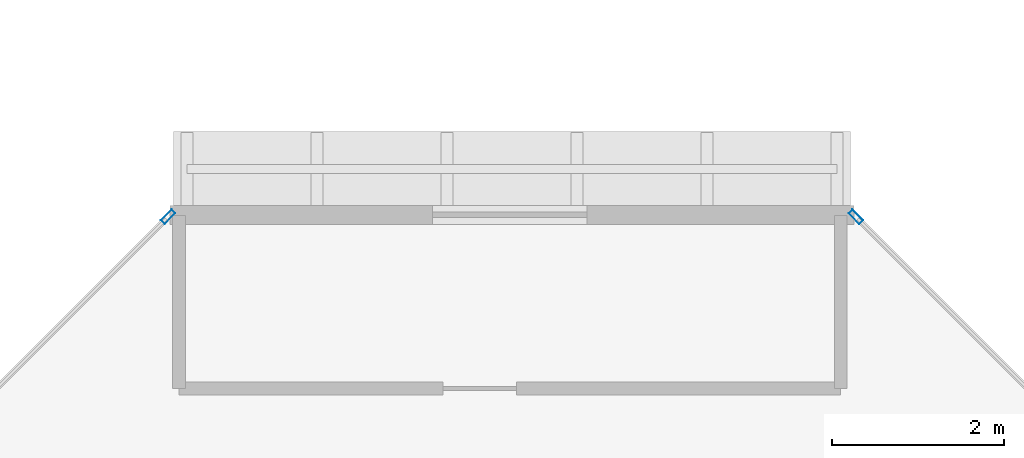
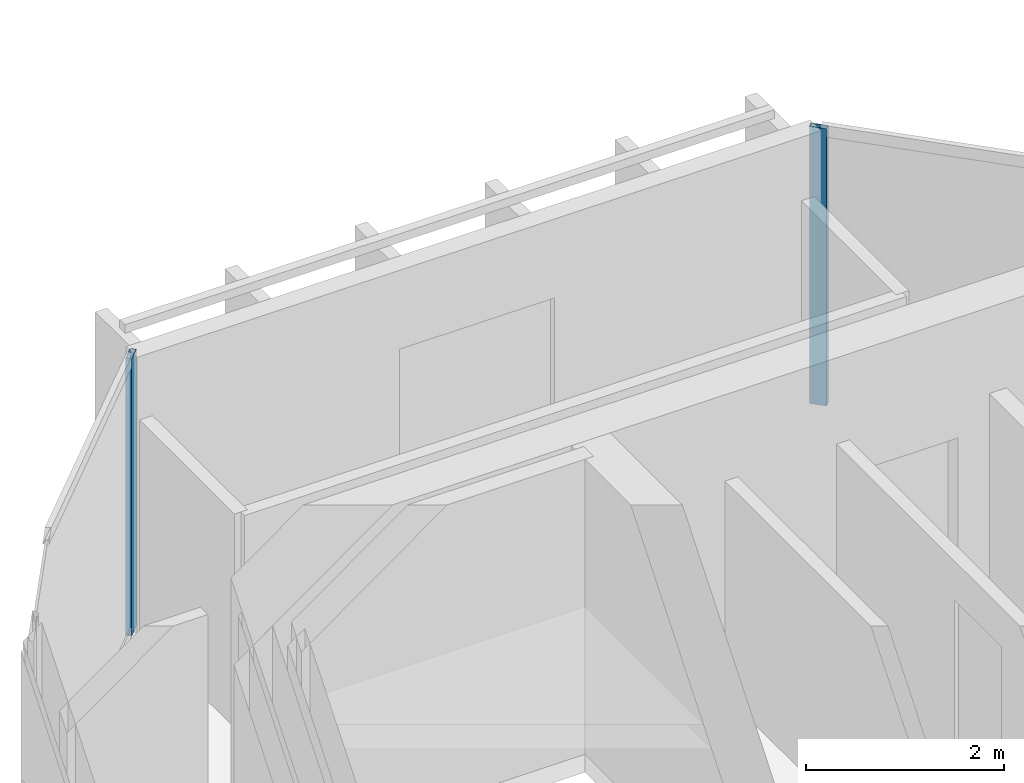
# One storey, part 12 of 28: 2 members, 2 elements without a shape of their own.
"""IFC4 building model written with IfcOpenShell, lengths in metres."""

from ifc_helpers import new_model, si_unit, direction, frame, origin, origin_2d, place, context, subcontext, project, spatial, hollow_rectangle, extrude, material, layer, layer_set, material_profile, profile_set, type_object, element, aggregate, save


model = new_model("IFC4")

# Units and contexts
model_context = context("Model", 3, precision=1e-05, world=origin(), true_north=direction((0.0, 1.0)))
body_context = subcontext(model_context, "Body", "Model", "MODEL_VIEW")
ifc_project = project(units=[si_unit("LENGTHUNIT", "METRE"), si_unit("AREAUNIT", "SQUARE_METRE"), si_unit("VOLUMEUNIT", "CUBIC_METRE"), si_unit("PLANEANGLEUNIT", "RADIAN"), si_unit("MASSUNIT", "GRAM", prefix="KILO")], contexts=[model_context])

# Site, building, storey
site_placement = place(None, origin())
site = spatial("IfcSite", under=ifc_project, at=site_placement, CompositionType="ELEMENT")
building_placement = place(site_placement, origin())
building = spatial("IfcBuilding", under=site, at=building_placement, Name="Tanjung Sevakor Pilgrim Tower", CompositionType="ELEMENT")
storey_placement = place(building_placement, frame((0.0, 0.0, 242.550048828125)))
storey = spatial("IfcBuildingStorey", under=building, at=storey_placement, Name="L68", CompositionType="ELEMENT", Elevation=242.550048828125)

# Curtain wall, member
ifc_material_1 = material(Name="Aluminium 6063-T6 and Low-E Glass", Category="aluminium")
ifc_layer = layer(ifc_material_1, 0.179931640625)
ifc_layer_set = layer_set([ifc_layer], Name="CW-SYS-CHAM")
curtain_wall_type = type_object("IfcCurtainWallType", Name="CW-SYS-CHAM", PredefinedType="NOTDEFINED", material=ifc_layer_set)
curtain_wall_1_placement = place(storey_placement, origin())
curtain_wall_1 = element("IfcCurtainWall", 1, at=curtain_wall_1_placement, inside=storey, type_object=curtain_wall_type, Name="L68 Curtain Wall CW-CHM-L68-WEST-3", PredefinedType="NOTDEFINED")
ifc_material_2 = material(Name="Aluminium 6063-T6", Category="aluminium")
ifc_material_profile = material_profile(ifc_material_2, hollow_rectangle(XDim=0.06494140625, YDim=0.179931640625, WallThickness=0.00390625, at=origin_2d()))
ifc_profile_set = profile_set([ifc_material_profile], Name="Aluminium 6063-T6")
member_type = type_object("IfcMemberType", Name="TYPE-CWM-1", PredefinedType="MULLION", material=ifc_profile_set)
member_1_placement = place(storey_placement, frame((32.827392578125, 46.26708984375, 0.0), z_axis=(0.0, 0.0, 1.0), x_axis=(-0.707106781187, -0.707106781187, 0.0)))
member_1 = element("IfcMember", 2, at=member_1_placement, type_object=member_type, Name="CW-CHM mullion 2", PredefinedType="MULLION", context=body_context, shape_type="SweptSolid", body=[
    extrude(hollow_rectangle(XDim=0.06494140625, YDim=0.179931640625, WallThickness=0.00390625, at=origin_2d()), origin(), (0.0, 0.0, 1.0), 3.409912109375),
])
aggregate(curtain_wall_1, [member_1])

curtain_wall_2_placement = place(storey_placement, origin())
curtain_wall_2 = element("IfcCurtainWall", 3, at=curtain_wall_2_placement, inside=storey, type_object=curtain_wall_type, Name="L68 Curtain Wall CW-CHM-L68-WEST-5", PredefinedType="NOTDEFINED")
member_2_placement = place(storey_placement, frame((24.822509765625, 46.26708984375, 0.0), z_axis=(0.0, 0.0, 1.0), x_axis=(0.707106781187, -0.707106781187, 0.0)))
member_2 = element("IfcMember", 4, at=member_2_placement, type_object=member_type, Name="CW-CHM mullion 1", PredefinedType="MULLION", context=body_context, shape_type="SweptSolid", body=[
    extrude(hollow_rectangle(XDim=0.06494140625, YDim=0.179931640625, WallThickness=0.00390625, at=origin_2d()), origin(), (0.0, 0.0, 1.0), 3.409912109375),
])
aggregate(curtain_wall_2, [member_2])

save(model, "model.ifc")
